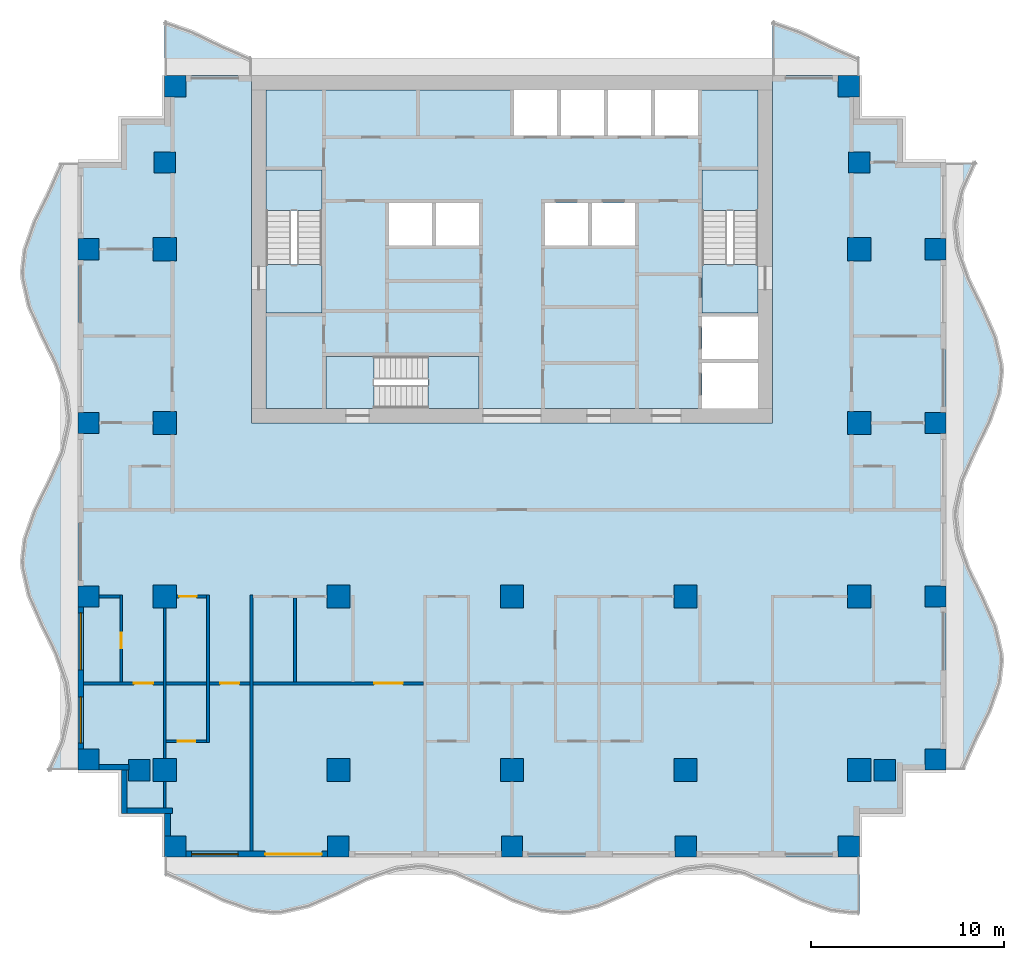
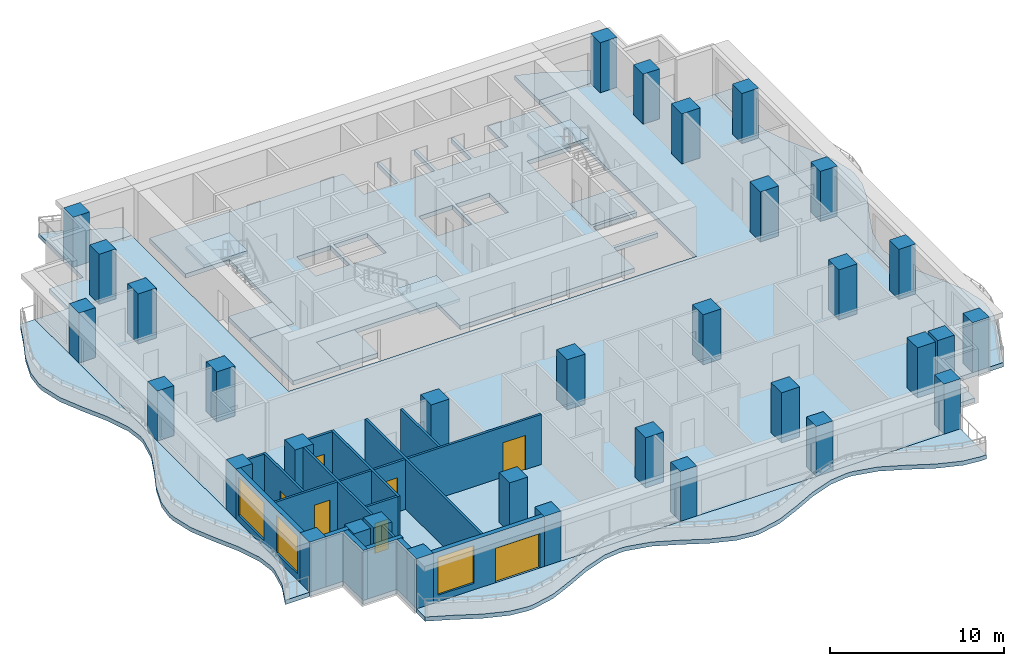
# One storey, part 1 of 10: 33 columns, 19 walls, 13 slabs, 7 doors, 3 windows, 10 openings, 3 elements without a shape of their own.
"""IFC4 building model written with IfcOpenShell, lengths in metres."""

import ifcopenshell
import ifcopenshell.guid

model = None  # the IFC model being written
_history = None  # IfcOwnerHistory: only IFC2X3 demands one
_inside = {}  # id of a spatial element -> (the spatial element, [elements in it])
_under = {}  # id of a project, library or spatial element -> (it, [spatial elements below it])
_declared = {}  # id of a project -> (the project, [libraries it declares])
_typed = {}  # id of a type object -> (the type object, [elements of that type])
_made_of = {}  # id of a material, layer set ... -> (it, [elements and type objects made of it])


def new_model(schema):
    """Start an empty IFC model of exactly this schema.

    Asked for "IFC4X3", IfcOpenShell would pick the latest addendum, in which some entities
    have other attributes; the version numbers below select the first issue.
    IFC2X3 requires an IfcOwnerHistory on every rooted entity: one is made here for all.
    """
    global model, _history
    if schema == "IFC4X3":
        model = ifcopenshell.file(schema_version=(4, 3, 0, 0))
    else:
        model = ifcopenshell.file(schema=schema)
    _inside.clear()
    _under.clear()
    _declared.clear()
    _typed.clear()
    _made_of.clear()
    _history = None
    if model.schema == "IFC2X3":
        org = make("IfcOrganization", Name="unknown")
        user = make(
            "IfcPersonAndOrganization",
            ThePerson=make("IfcPerson", FamilyName="unknown"),
            TheOrganization=org,
        )
        app = make(
            "IfcApplication",
            ApplicationDeveloper=org,
            Version="unknown",
            ApplicationFullName="unknown",
            ApplicationIdentifier="unknown",
        )
        _history = make(
            "IfcOwnerHistory",
            OwningUser=user,
            OwningApplication=app,
            ChangeAction="ADDED",
            CreationDate=0,
        )
    return model


def make(cls, **values):
    """One entity of the class cls with the attributes given. An attribute that is None is left unset."""
    return model.create_entity(
        cls, **{name: value for name, value in values.items() if value is not None}
    )


def rooted(cls, **values):
    """An entity with a GlobalId (a new one), such as an element, a storey or a relation."""
    return make(cls, GlobalId=ifcopenshell.guid.new(), OwnerHistory=_history, **values)


def si_unit(unit_type, name, prefix=None):
    """IfcSIUnit, for example si_unit("LENGTHUNIT", "METRE", prefix="MILLI")."""
    return make("IfcSIUnit", UnitType=unit_type, Prefix=prefix, Name=name)


def assignment(units):
    """IfcUnitAssignment: the units of a project."""
    return None if units is None else make("IfcUnitAssignment", Units=units)


def point(xyz):
    """IfcCartesianPoint."""
    return None if xyz is None else make("IfcCartesianPoint", Coordinates=xyz)


def direction(xyz):
    """IfcDirection."""
    return None if xyz is None else make("IfcDirection", DirectionRatios=xyz)


def frame(location, z_axis=None, x_axis=None):
    """IfcAxis2Placement3D, a coordinate frame: its origin and axes. An axis left out is left unset."""
    return make(
        "IfcAxis2Placement3D",
        Location=point(location),
        Axis=direction(z_axis),
        RefDirection=direction(x_axis),
    )


def frame_2d(location, x_axis=None):
    """IfcAxis2Placement2D, a coordinate frame in the plane: its origin and x axis."""
    return make(
        "IfcAxis2Placement2D", Location=point(location), RefDirection=direction(x_axis)
    )


def origin():
    """The frame at (0, 0, 0) with its axes left unset."""
    return frame((0.0, 0.0, 0.0))


def origin_2d():
    """The frame at (0, 0) in the plane with its x axis left unset."""
    return frame_2d((0.0, 0.0))


def place(relative_to, where):
    """IfcLocalPlacement: puts the frame where relative to a parent placement (None: the world)."""
    return make(
        "IfcLocalPlacement", PlacementRelTo=relative_to, RelativePlacement=where
    )


def context(
    kind, dimensions, precision=None, world=None, true_north=None, identifier=None
):
    """IfcGeometricRepresentationContext, for example the 3D "Model" context."""
    return make(
        "IfcGeometricRepresentationContext",
        ContextIdentifier=identifier,
        ContextType=kind,
        CoordinateSpaceDimension=dimensions,
        Precision=precision,
        WorldCoordinateSystem=world,
        TrueNorth=true_north,
    )


def subcontext(parent, identifier, kind, view, scale=None):
    """IfcGeometricRepresentationSubContext, for example "Body" below "Model"."""
    return make(
        "IfcGeometricRepresentationSubContext",
        ContextIdentifier=identifier,
        ContextType=kind,
        ParentContext=parent,
        TargetScale=scale,
        TargetView=view,
    )


def project(units=None, contexts=None):
    """IfcProject with its units and contexts."""
    return rooted(
        "IfcProject",
        Name="project",
        RepresentationContexts=contexts,
        UnitsInContext=assignment(units),
    )


def spatial(cls, under=None, at=None, **own):
    """A site, building, storey or space (cls), placed at a placement, below another one or the project."""
    s = rooted(cls, ObjectPlacement=at, **own)
    if under is not None:
        _under.setdefault(under.id(), (under, []))[1].append(s)
    return s


def polyline(points):
    """IfcPolyline through the points."""
    return make("IfcPolyline", Points=[point(p) for p in points])


def profile(cls, at=None, kind="AREA", **sizes):
    """A parametric profile (cls). Its sizes go by their IFC names, for example OverallWidth=200.0."""
    return make(cls, ProfileType=kind, Position=at, **sizes)


def rectangle(**sizes):
    """IfcRectangleProfileDef."""
    return profile("IfcRectangleProfileDef", **sizes)


def outline(outer, holes=None, kind="AREA"):
    """IfcArbitraryClosedProfileDef: a profile drawn as a closed curve; with holes, ...WithVoids."""
    if holes is None:
        return make("IfcArbitraryClosedProfileDef", ProfileType=kind, OuterCurve=outer)
    return make(
        "IfcArbitraryProfileDefWithVoids",
        ProfileType=kind,
        OuterCurve=outer,
        InnerCurves=holes,
    )


def extrude(swept, where, along, depth):
    """IfcExtrudedAreaSolid: the profile swept, set in the frame where, extruded along a direction by depth."""
    return make(
        "IfcExtrudedAreaSolid",
        SweptArea=swept,
        Position=where,
        ExtrudedDirection=direction(along),
        Depth=depth,
    )


def shape(context_of_items, identifier, shape_type, items):
    """IfcShapeRepresentation: the items that make up one representation, for example the "Body"."""
    return make(
        "IfcShapeRepresentation",
        ContextOfItems=context_of_items,
        RepresentationIdentifier=identifier,
        RepresentationType=shape_type,
        Items=items,
    )


def material(Name=None, Category=None):
    """IfcMaterial."""
    return make("IfcMaterial", Name=Name, Category=Category)


def layer(
    of_material, thickness, ventilated=None, Name=None, Category=None, Priority=None
):
    """IfcMaterialLayer: one layer of a wall or slab, of a material (None: an air gap)."""
    return make(
        "IfcMaterialLayer",
        Material=of_material,
        LayerThickness=thickness,
        IsVentilated=ventilated,
        Name=Name,
        Category=Category,
        Priority=Priority,
    )


def layer_set(layers, Name=None):
    """IfcMaterialLayerSet."""
    return make("IfcMaterialLayerSet", MaterialLayers=layers, LayerSetName=Name)


def material_profile(
    of_material, cross_section, Name=None, Category=None, Priority=None
):
    """IfcMaterialProfile: a cross section and its material."""
    return make(
        "IfcMaterialProfile",
        Name=Name,
        Material=of_material,
        Profile=cross_section,
        Priority=Priority,
        Category=Category,
    )


def profile_set(profiles, Name=None, composite=None):
    """IfcMaterialProfileSet."""
    return make(
        "IfcMaterialProfileSet",
        Name=Name,
        MaterialProfiles=profiles,
        CompositeProfile=composite,
    )


def made_of(thing, what):
    """Note that an element or type object is made of a material, layer set ...; save() writes the relation."""
    if what is not None:
        _made_of.setdefault(what.id(), (what, []))[1].append(thing)
    return thing


def type_object(cls, material=None, **own):
    """A type object (cls), such as IfcWallType, which elements share."""
    return made_of(rooted(cls, **own), material)


def element(
    cls,
    number,
    at=None,
    inside=None,
    cuts=None,
    type_object=None,
    material=None,
    context=None,
    identifier="Body",
    shape_type=None,
    held_by="IfcProductDefinitionShape",
    body=None,
    shapes=None,
    **own,
):
    """One element of the class cls, such as IfcWall. Its Tag is "e" and its number.

    at: its placement. inside: the storey or other place that contains it. cuts: it is an
    opening in that element (IfcRelVoidsElement). A single representation is given by context,
    identifier, shape_type and body (its items); several are given by shapes. held_by: the class
    of the entity that holds the representations. save() writes the other relations.
    """
    e = rooted(cls, Tag="e%d" % number, ObjectPlacement=at, **own)
    if body is not None:
        shapes = [shape(context, identifier, shape_type, body)]
    if shapes is not None:
        e.Representation = make(held_by, Representations=shapes)
    if inside is not None:
        _inside.setdefault(inside.id(), (inside, []))[1].append(e)
    if cuts is not None:
        rooted(
            "IfcRelVoidsElement", RelatingBuildingElement=cuts, RelatedOpeningElement=e
        )
    if type_object is not None:
        _typed.setdefault(type_object.id(), (type_object, []))[1].append(e)
    return made_of(e, material)


def fill(opening, filler):
    """IfcRelFillsElement: the door or window that sits in an opening."""
    return rooted(
        "IfcRelFillsElement",
        RelatingOpeningElement=opening,
        RelatedBuildingElement=filler,
    )


def aggregate(whole, parts):
    """IfcRelAggregates: a whole, such as a stair, and the parts it consists of."""
    return rooted("IfcRelAggregates", RelatingObject=whole, RelatedObjects=parts)


def save(model, path):
    """Write the relations noted so far, then the file.

    IfcRelAggregates (storeys below a building ...), IfcRelContainedInSpatialStructure (elements
    in a storey), IfcRelDefinesByType, IfcRelAssociatesMaterial and IfcRelDeclares: one each for
    every whole, place, type object, material and project.
    """
    for whole, parts in _under.values():
        aggregate(whole, parts)
    for where, things in _inside.values():
        rooted(
            "IfcRelContainedInSpatialStructure",
            RelatedElements=things,
            RelatingStructure=where,
        )
    for kind, things in _typed.values():
        rooted("IfcRelDefinesByType", RelatedObjects=things, RelatingType=kind)
    for what, things in _made_of.values():
        rooted("IfcRelAssociatesMaterial", RelatedObjects=things, RelatingMaterial=what)
    for by, libraries in _declared.values():
        rooted("IfcRelDeclares", RelatingContext=by, RelatedDefinitions=libraries)
    model.write(path)


model = new_model("IFC4")

# Units and contexts
model_context = context("Model", 3, precision=1e-05, world=origin(), true_north=direction((0.0, 1.0)))
body_context = subcontext(model_context, "Body", "Model", "MODEL_VIEW")
ifc_project = project(units=[si_unit("LENGTHUNIT", "METRE"), si_unit("AREAUNIT", "SQUARE_METRE"), si_unit("VOLUMEUNIT", "CUBIC_METRE"), si_unit("PLANEANGLEUNIT", "RADIAN"), si_unit("MASSUNIT", "GRAM", prefix="KILO")], contexts=[model_context])

# Site, building, storey
site_placement = place(None, origin())
site = spatial("IfcSite", under=ifc_project, at=site_placement, CompositionType="ELEMENT")
building_placement = place(site_placement, origin())
building = spatial("IfcBuilding", under=site, at=building_placement, Name="Orbiselva Terraces", CompositionType="ELEMENT")
storey_placement = place(building_placement, frame((0.0, 0.0, 170.6)))
storey = spatial("IfcBuildingStorey", under=building, at=storey_placement, Name="L43", CompositionType="ELEMENT", Elevation=170.6)

# Columns
ifc_material_1 = material(Name="Concrete C60/75", Category="concrete")
ifc_material_profile_1 = material_profile(ifc_material_1, rectangle(XDim=1.2, YDim=1.2, at=origin_2d()), Name="RC 1200x1200")
ifc_profile_set_1 = profile_set([ifc_material_profile_1], Name="Concrete C60/75")
column_type_1 = type_object("IfcColumnType", Name="COLUMN RC 1200x1200", PredefinedType="COLUMN", material=ifc_profile_set_1)
for number, where, z_axis, x_axis, name in (
    (1, (-18.0, -13.5, 0.0), (0.0, 0.0, 1.0), (1.0, 0.0, 0.0), "Column L43-01"),
    (2, (-18.0, -4.5, 0.0), (0.0, 0.0, 1.0), (1.0, 0.0, 0.0), "Column L43-03"),
    (3, (-18.0, 13.5, 0.0), (0.0, 0.0, 1.0), (1.0, 0.0, 0.0), "Column L43-04"),
    (4, (-18.0, 4.5, 0.0), (0.0, 0.0, 1.0), (1.0, 0.0, 0.0), "Column L43-06"),
    (5, (-9.0, -13.5, 0.0), (0.0, 0.0, 1.0), (1.0, 0.0, 0.0), "Column L43-13"),
    (6, (-9.0, -4.5, 0.0), (0.0, 0.0, 1.0), (1.0, 0.0, 0.0), "Column L43-15"),
    (7, (0.0, -13.5, 0.0), (0.0, 0.0, 1.0), (1.0, 0.0, 0.0), "Column L43-16"),
    (8, (0.0, -4.5, 0.0), (0.0, 0.0, 1.0), (1.0, 0.0, 0.0), "Column L43-18"),
    (9, (18.0, -13.5, 0.0), (0.0, 0.0, 1.0), (1.0, 0.0, 0.0), "Column L43-19"),
    (10, (18.0, -4.5, 0.0), (0.0, 0.0, 1.0), (1.0, 0.0, 0.0), "Column L43-21"),
    (11, (18.0, 13.5, 0.0), (0.0, 0.0, 1.0), (1.0, 0.0, 0.0), "Column L43-22"),
    (12, (18.0, 4.5, 0.0), (0.0, 0.0, 1.0), (1.0, 0.0, 0.0), "Column L43-24"),
    (13, (9.0, -13.5, 0.0), (0.0, 0.0, 1.0), (1.0, 0.0, 0.0), "Column L43-31"),
    (14, (9.0, -4.5, 0.0), (0.0, 0.0, 1.0), (1.0, 0.0, 0.0), "Column L43-33"),
):
    element("IfcColumn", number, at=place(storey_placement, frame(where, z_axis=z_axis, x_axis=x_axis)), inside=storey, type_object=column_type_1, Name=name, PredefinedType="COLUMN", context=body_context, shape_type="SweptSolid", body=[
        extrude(rectangle(XDim=1.2, YDim=1.2, at=origin_2d()), origin(), (0.0, 0.0, 1.0), 3.5),
    ])
ifc_material_profile_2 = material_profile(ifc_material_1, rectangle(XDim=1.1, YDim=1.1, at=origin_2d()), Name="RC 1100x1100")
ifc_profile_set_2 = profile_set([ifc_material_profile_2], Name="Concrete C60/75")
column_type_2 = type_object("IfcColumnType", Name="PERIMETER COLUMN RC 1100x1100", PredefinedType="COLUMN", material=ifc_profile_set_2)
for number, where, z_axis, x_axis, name in (
    (15, (-17.45, -17.45, 0.0), (0.0, 0.0, 1.0), (1.0, 0.0, 0.0), "Column L43-02"),
    (16, (-17.45, 21.95, 0.0), (0.0, 0.0, 1.0), (1.0, 0.0, 0.0), "Column L43-05"),
    (17, (-21.95, -12.95, 0.0), (0.0, 0.0, 1.0), (1.0, 0.0, 0.0), "Column L43-07"),
    (18, (-19.32, -13.5, 0.0), (0.0, 0.0, 1.0), (1.0, 0.0, 0.0), "Column L43-08"),
    (19, (-21.95, -4.5, 0.0), (0.0, 0.0, 1.0), (1.0, 0.0, 0.0), "Column L43-09"),
    (20, (-21.95, 13.5, 0.0), (0.0, 0.0, 1.0), (1.0, 0.0, 0.0), "Column L43-10"),
    (21, (-18.0, 18.0, 0.0), (0.0, 0.0, 1.0), (1.0, 0.0, 0.0), "Column L43-11"),
    (22, (-21.95, 4.5, 0.0), (0.0, 0.0, 1.0), (1.0, 0.0, 0.0), "Column L43-12"),
    (23, (-9.0, -17.45, 0.0), (0.0, 0.0, 1.0), (1.0, 0.0, 0.0), "Column L43-14"),
    (24, (0.0, -17.45, 0.0), (0.0, 0.0, 1.0), (1.0, 0.0, 0.0), "Column L43-17"),
    (25, (17.45, -17.45, 0.0), (0.0, 0.0, 1.0), (1.0, 0.0, 0.0), "Column L43-20"),
    (26, (17.45, 21.95, 0.0), (0.0, 0.0, 1.0), (1.0, 0.0, 0.0), "Column L43-23"),
    (27, (21.95, -12.95, 0.0), (0.0, 0.0, 1.0), (1.0, 0.0, 0.0), "Column L43-25"),
    (28, (19.32, -13.5, 0.0), (0.0, 0.0, 1.0), (1.0, 0.0, 0.0), "Column L43-26"),
    (29, (21.95, -4.5, 0.0), (0.0, 0.0, 1.0), (1.0, 0.0, 0.0), "Column L43-27"),
    (30, (21.95, 13.5, 0.0), (0.0, 0.0, 1.0), (1.0, 0.0, 0.0), "Column L43-28"),
    (31, (18.0, 18.0, 0.0), (0.0, 0.0, 1.0), (1.0, 0.0, 0.0), "Column L43-29"),
    (32, (21.95, 4.5, 0.0), (0.0, 0.0, 1.0), (1.0, 0.0, 0.0), "Column L43-30"),
    (33, (9.0, -17.45, 0.0), (0.0, 0.0, 1.0), (1.0, 0.0, 0.0), "Column L43-32"),
):
    element("IfcColumn", number, at=place(storey_placement, frame(where, z_axis=z_axis, x_axis=x_axis)), inside=storey, type_object=column_type_2, Name=name, PredefinedType="COLUMN", context=body_context, shape_type="SweptSolid", body=[
        extrude(rectangle(XDim=1.1, YDim=1.1, at=origin_2d()), origin(), (0.0, 0.0, 1.0), 3.5),
    ])

# Slabs
ifc_material_2 = material(Name="Concrete C40/50", Category="concrete")
ifc_layer_1 = layer(ifc_material_2, 0.3)
ifc_layer_set_1 = layer_set([ifc_layer_1], Name="Concrete C40/50")
slab_type_1 = type_object("IfcSlabType", Name="CORE-SLAB-FLOOR-300", PredefinedType="FLOOR", material=ifc_layer_set_1)
slab_1_placement = place(storey_placement, frame((0.0, 0.0, -0.3)))
element("IfcSlab", 34, at=slab_1_placement, inside=storey, type_object=slab_type_1, Name="L43 S1 floor landing", PredefinedType="FLOOR", context=body_context, shape_type="SweptSolid", body=[
    extrude(outline(polyline([(-12.75, 12.7), (-9.85, 12.7), (-9.85, 10.2), (-12.75, 10.2), (-12.75, 12.7)])), origin(), (0.0, 0.0, 1.0), 0.3),
])
slab_2_placement = place(storey_placement, frame((0.0, 0.0, -0.3)))
element("IfcSlab", 35, at=slab_2_placement, inside=storey, type_object=slab_type_1, Name="L43 S2 floor landing", PredefinedType="FLOOR", context=body_context, shape_type="SweptSolid", body=[
    extrude(outline(polyline([(12.75, 12.7), (12.75, 10.2), (9.85, 10.2), (9.85, 12.7), (12.75, 12.7)])), origin(), (0.0, 0.0, 1.0), 0.3),
])
slab_3_placement = place(storey_placement, frame((0.0, 0.0, -0.3)))
element("IfcSlab", 36, at=slab_3_placement, inside=storey, type_object=slab_type_1, Name="L43 S3 floor landing", PredefinedType="FLOOR", context=body_context, shape_type="SweptSolid", body=[
    extrude(outline(polyline([(-7.15, 5.25), (-9.65, 5.25), (-9.65, 7.95), (-7.15, 7.95), (-7.15, 5.25)])), origin(), (0.0, 0.0, 1.0), 0.3),
])
slab_4_placement = place(storey_placement, frame((0.0, 0.0, -0.3)))
element("IfcSlab", 37, at=slab_4_placement, inside=storey, type_object=slab_type_1, Name="L43 core floor slab 1", PredefinedType="FLOOR", context=body_context, shape_type="SweptSolid", body=[
    extrude(outline(polyline([(-1.7, 5.25), (-1.7, 7.95), (-9.65, 7.95), (-9.65, 5.25), (-12.75, 5.25), (-12.75, 10.2), (-9.85, 10.2), (-9.85, 17.6), (-12.75, 17.6), (-12.75, 21.75), (0.1, 21.75), (0.1, 19.4), (2.3375, 19.4), (2.3375, 21.75), (2.5375, 21.75), (2.5375, 19.4), (4.775, 19.4), (4.775, 21.75), (4.975, 21.75), (4.975, 19.4), (7.2125, 19.4), (7.2125, 21.75), (7.4125, 21.75), (7.4125, 19.4), (9.65, 19.4), (9.65, 21.75), (12.75, 21.75), (12.75, 17.6), (9.85, 17.6), (9.85, 10.2), (12.75, 10.2), (12.75, 10.0), (9.85, 10.0), (9.85, 7.8), (12.75, 7.8), (12.75, 7.6), (9.85, 7.6), (9.85, 5.25), (-1.7, 5.25)]), holes=[polyline([(-4.1375, 13.7), (-4.1375, 15.9), (-6.375, 15.9), (-6.375, 13.7), (-4.1375, 13.7)]), polyline([(-1.7, 13.7), (-1.7, 15.9), (-3.9375, 15.9), (-3.9375, 13.7), (-1.7, 13.7)]), polyline([(3.9375, 15.9), (1.7, 15.9), (1.7, 13.7), (3.9375, 13.7), (3.9375, 15.9)]), polyline([(6.375, 13.7), (6.375, 15.9), (4.1375, 15.9), (4.1375, 13.7), (6.375, 13.7)])]), origin(), (0.0, 0.0, 1.0), 0.3),
])

# Stair, slab
stair_type_1 = type_object("IfcStairType", Name="CORE-STAIR-1300", PredefinedType="HALF_TURN_STAIR", material=ifc_material_2)
stair_1_placement = place(storey_placement, origin())
stair_1 = element("IfcStair", 38, at=stair_1_placement, inside=storey, type_object=stair_type_1, Name="L43 Exit Stair S1", PredefinedType="HALF_TURN_STAIR")
ifc_layer_2 = layer(ifc_material_2, 0.2)
ifc_layer_set_2 = layer_set([ifc_layer_2], Name="Concrete C40/50")
slab_type_2 = type_object("IfcSlabType", Name="CORE-STAIR-LANDING-200", PredefinedType="LANDING", material=ifc_layer_set_2)
slab_5_placement = place(storey_placement, frame((0.0, 0.0, 1.7)))
slab_5 = element("IfcSlab", 39, at=slab_5_placement, type_object=slab_type_2, Name="S1 landing 1", PredefinedType="LANDING", context=body_context, shape_type="SweptSolid", body=[
    extrude(outline(polyline([(-9.85, 15.5), (-9.85, 17.6), (-12.75, 17.6), (-12.75, 15.5), (-9.85, 15.5)])), origin(), (0.0, 0.0, 1.0), 0.2),
])
aggregate(stair_1, [slab_5])

stair_2_placement = place(storey_placement, origin())
stair_2 = element("IfcStair", 40, at=stair_2_placement, inside=storey, type_object=stair_type_1, Name="L43 Exit Stair S2", PredefinedType="HALF_TURN_STAIR")
slab_6_placement = place(storey_placement, frame((0.0, 0.0, 1.7)))
slab_6 = element("IfcSlab", 41, at=slab_6_placement, type_object=slab_type_2, Name="S2 landing 1", PredefinedType="LANDING", context=body_context, shape_type="SweptSolid", body=[
    extrude(outline(polyline([(12.75, 15.5), (12.75, 17.6), (9.85, 17.6), (9.85, 15.5), (12.75, 15.5)])), origin(), (0.0, 0.0, 1.0), 0.2),
])
aggregate(stair_2, [slab_6])

stair_type_2 = type_object("IfcStairType", Name="CORE-STAIR-1200", PredefinedType="HALF_TURN_STAIR", material=ifc_material_2)
stair_3_placement = place(storey_placement, origin())
stair_3 = element("IfcStair", 42, at=stair_3_placement, inside=storey, type_object=stair_type_2, Name="L43 Exit Stair S3", PredefinedType="HALF_TURN_STAIR")
slab_7_placement = place(storey_placement, frame((0.0, 0.0, 1.7)))
slab_7 = element("IfcSlab", 43, at=slab_7_placement, type_object=slab_type_2, Name="S3 landing 1", PredefinedType="LANDING", context=body_context, shape_type="SweptSolid", body=[
    extrude(outline(polyline([(-4.35, 5.25), (-1.7, 5.25), (-1.7, 7.95), (-4.35, 7.95), (-4.35, 5.25)])), origin(), (0.0, 0.0, 1.0), 0.2),
])
aggregate(stair_3, [slab_7])

# Slabs
ifc_material_3 = material(Name="Concrete C50/60", Category="concrete")
ifc_layer_3 = layer(ifc_material_3, 0.3)
ifc_layer_set_3 = layer_set([ifc_layer_3], Name="Concrete C50/60")
slab_type_3 = type_object("IfcSlabType", Name="ENV-BALCONY-SLAB-300", PredefinedType="FLOOR", material=ifc_layer_set_3)
slab_8_placement = place(storey_placement, frame((0.0, 0.0, -0.3)))
element("IfcSlab", 44, at=slab_8_placement, inside=storey, type_object=slab_type_3, Name="Balcony slab L43 S", PredefinedType="FLOOR", context=body_context, shape_type="SweptSolid", body=[
    extrude(outline(polyline([(-18.0, -18.951472), (-16.5, -19.612279), (-15.0, -20.344789), (-13.5, -20.869208), (-12.375, -21.0), (-12.0, -20.985226), (-10.5, -20.648528), (-9.0, -19.987721), (-7.5, -19.255211), (-6.0, -18.730792), (-4.875, -18.6), (-4.5, -18.614774), (-3.0, -18.951472), (-1.5, -19.612279), (0.0, -20.344789), (1.5, -20.869208), (2.625, -21.0), (3.0, -20.985226), (4.5, -20.648528), (6.0, -19.987721), (7.5, -19.255211), (9.0, -18.730792), (10.125, -18.6), (10.5, -18.614774), (12.0, -18.951472), (13.5, -19.612279), (15.0, -20.344789), (16.5, -20.869208), (17.625, -21.0), (18.0, -20.985226), (18.0, -18.0), (-18.0, -18.0), (-18.0, -18.951472)])), origin(), (0.0, 0.0, 1.0), 0.3),
])
slab_9_placement = place(storey_placement, frame((0.0, 0.0, -0.3)))
element("IfcSlab", 45, at=slab_9_placement, inside=storey, type_object=slab_type_3, Name="Balcony slab L43 E", PredefinedType="FLOOR", context=body_context, shape_type="SweptSolid", body=[
    extrude(outline(polyline([(23.451472, -13.5), (24.112279, -12.0), (24.844789, -10.5), (25.369208, -9.0), (25.5, -7.875), (25.485226, -7.5), (25.148528, -6.0), (24.487721, -4.5), (23.755211, -3.0), (23.230792, -1.5), (23.1, -0.375), (23.114774, 0.0), (23.451472, 1.5), (24.112279, 3.0), (24.844789, 4.5), (25.369208, 6.0), (25.5, 7.125), (25.485226, 7.5), (25.148528, 9.0), (24.487721, 10.5), (23.755211, 12.0), (23.230792, 13.5), (23.1, 14.625), (23.114774, 15.0), (23.451472, 16.5), (24.112279, 18.0), (22.5, 18.0), (22.5, -13.5), (23.451472, -13.5)])), origin(), (0.0, 0.0, 1.0), 0.3),
])
slab_10_placement = place(storey_placement, frame((0.0, 0.0, -0.3)))
element("IfcSlab", 46, at=slab_10_placement, inside=storey, type_object=slab_type_3, Name="Balcony slab L43 NE", PredefinedType="FLOOR", context=body_context, shape_type="SweptSolid", body=[
    extrude(outline(polyline([(18.0, 23.451472), (16.5, 24.112279), (15.0, 24.844789), (13.5, 25.369208), (13.5, 22.5), (18.0, 22.5), (18.0, 23.451472)])), origin(), (0.0, 0.0, 1.0), 0.3),
])
slab_11_placement = place(storey_placement, frame((0.0, 0.0, -0.3)))
element("IfcSlab", 47, at=slab_11_placement, inside=storey, type_object=slab_type_3, Name="Balcony slab L43 NW", PredefinedType="FLOOR", context=body_context, shape_type="SweptSolid", body=[
    extrude(outline(polyline([(-13.5, 23.451472), (-15.0, 24.112279), (-16.5, 24.844789), (-18.0, 25.369208), (-18.0, 22.5), (-13.5, 22.5), (-13.5, 23.451472)])), origin(), (0.0, 0.0, 1.0), 0.3),
])
slab_12_placement = place(storey_placement, frame((0.0, 0.0, -0.3)))
element("IfcSlab", 48, at=slab_12_placement, inside=storey, type_object=slab_type_3, Name="Balcony slab L43 W", PredefinedType="FLOOR", context=body_context, shape_type="SweptSolid", body=[
    extrude(outline(polyline([(-23.451472, 18.0), (-24.112279, 16.5), (-24.844789, 15.0), (-25.369208, 13.5), (-25.5, 12.375), (-25.485226, 12.0), (-25.148528, 10.5), (-24.487721, 9.0), (-23.755211, 7.5), (-23.230792, 6.0), (-23.1, 4.875), (-23.114774, 4.5), (-23.451472, 3.0), (-24.112279, 1.5), (-24.844789, 0.0), (-25.369208, -1.5), (-25.5, -2.625), (-25.485226, -3.0), (-25.148528, -4.5), (-24.487721, -6.0), (-23.755211, -7.5), (-23.230792, -9.0), (-23.1, -10.125), (-23.114774, -10.5), (-23.451472, -12.0), (-24.112279, -13.5), (-22.5, -13.5), (-22.5, 18.0), (-23.451472, 18.0)])), origin(), (0.0, 0.0, 1.0), 0.3),
])
ifc_layer_4 = layer(ifc_material_3, 0.3)
ifc_layer_set_4 = layer_set([ifc_layer_4], Name="Concrete C50/60")
slab_type_4 = type_object("IfcSlabType", Name="FLOOR SLAB 300", PredefinedType="FLOOR", material=ifc_layer_set_4)
slab_13_placement = place(storey_placement, frame((0.0, 0.0, -0.3)))
element("IfcSlab", 49, at=slab_13_placement, inside=storey, type_object=slab_type_4, Name="Floor slab L43", PredefinedType="FLOOR", context=body_context, shape_type="SweptSolid", body=[
    extrude(outline(polyline([(18.0, 22.5), (18.0, 20.25), (20.25, 20.25), (20.25, 18.0), (22.5, 18.0), (22.5, -13.5), (20.25, -13.5), (20.25, -15.75), (18.0, -15.75), (18.0, -18.0), (-18.0, -18.0), (-18.0, -15.75), (-20.25, -15.75), (-20.25, -13.5), (-22.5, -13.5), (-22.5, 18.0), (-20.25, 18.0), (-20.25, 20.25), (-18.0, 20.25), (-18.0, 22.5), (-13.5, 22.5), (-13.5, 4.5), (13.5, 4.5), (13.5, 22.5), (18.0, 22.5)])), origin(), (0.0, 0.0, 1.0), 0.3),
])

# Wall, openings, door, window
ifc_material_4 = material(Name="Terracotta cladding on masonry backing", Category="masonry")
ifc_layer_5 = layer(ifc_material_4, 0.3)
ifc_layer_set_5 = layer_set([ifc_layer_5], Name="Terracotta cladding on masonry backing")
wall_type_1 = type_object("IfcWallType", Name="ENV-WALL-TERRACOTTA-300", PredefinedType="SOLIDWALL", material=ifc_layer_set_5)
wall_1_placement = place(storey_placement, frame((-9.55, -17.85, 0.0), z_axis=(0.0, 0.0, 1.0), x_axis=(-1.0, 0.0, 0.0)))
wall_1 = element("IfcWall", 50, at=wall_1_placement, inside=storey, type_object=wall_type_1, Name="Facade wall L43 S", PredefinedType="SOLIDWALL", context=body_context, shape_type="SweptSolid", body=[
    extrude(rectangle(XDim=7.35, YDim=0.3, at=frame_2d((3.675, 0.0))), origin(), (0.0, 0.0, 1.0), 3.5),
])
opening_1_placement = place(wall_1_placement, frame((4.65, 0.0, 0.45)))
opening_1 = element("IfcOpeningElement", 51, at=opening_1_placement, cuts=wall_1, Name="Opening WN11", PredefinedType="OPENING", context=body_context, shape_type="SweptSolid", body=[
    extrude(rectangle(XDim=2.4, YDim=2.65, at=frame_2d((1.2, 1.325))), frame((0.0, 0.16, 0.0), z_axis=(0.0, -1.0, 0.0), x_axis=(1.0, 0.0, 0.0)), (0.0, 0.0, 1.0), 0.32),
])
opening_2_placement = place(wall_1_placement, frame((0.3, 0.0, 0.0)))
opening_2 = element("IfcOpeningElement", 52, at=opening_2_placement, cuts=wall_1, Name="Opening Z3-E-E01", PredefinedType="OPENING", context=body_context, shape_type="SweptSolid", body=[
    extrude(rectangle(XDim=2.95, YDim=2.4, at=frame_2d((1.475, 1.2))), frame((0.0, 0.16, 0.0), z_axis=(0.0, -1.0, 0.0), x_axis=(1.0, 0.0, 0.0)), (0.0, 0.0, 1.0), 0.32),
])
ifc_material_5 = material(Name="Clear low-e glazing in aluminium frame", Category="aluminium")
door_type_1 = type_object("IfcDoorType", Name="BALCONY DOOR 2950 X 2400", OperationType="DOUBLE_DOOR_SLIDING", PredefinedType="DOOR", material=ifc_material_5)
door_1_placement = place(opening_2_placement, origin())
door_1 = element("IfcDoor", 53, at=door_1_placement, inside=storey, type_object=door_type_1, Name="Z3-E-E01", OperationType="SINGLE_SWING_LEFT", OverallHeight=2.4, OverallWidth=2.95, PredefinedType="DOOR", context=body_context, shape_type="SweptSolid", body=[
    extrude(rectangle(XDim=2.95, YDim=2.4, at=frame_2d((1.475, 1.2))), frame((0.0, 0.025, 0.0), z_axis=(0.0, -1.0, 0.0), x_axis=(1.0, 0.0, 0.0)), (0.0, 0.0, 1.0), 0.05),
])
fill(opening_2, door_1)
window_type_1 = type_object("IfcWindowType", Name="WINDOW 2400 X 2650 S450", PartitioningType="TRIPLE_PANEL_VERTICAL", PredefinedType="WINDOW", material=ifc_material_5)
window_1_placement = place(opening_1_placement, origin())
window_1 = element("IfcWindow", 54, at=window_1_placement, inside=storey, type_object=window_type_1, Name="Window L43 S", OverallHeight=2.65, OverallWidth=2.4, PartitioningType="SINGLE_PANEL", PredefinedType="WINDOW", context=body_context, shape_type="SweptSolid", body=[
    extrude(rectangle(XDim=2.4, YDim=2.65, at=frame_2d((1.2, 1.325))), frame((0.0, 0.03, 0.0), z_axis=(0.0, -1.0, 0.0), x_axis=(1.0, 0.0, 0.0)), (0.0, 0.0, 1.0), 0.06),
])
fill(opening_1, window_1)

# Wall, openings, windows
wall_2_placement = place(storey_placement, frame((-22.35, -12.4, 0.0), z_axis=(0.0, 0.0, 1.0), x_axis=(0.0, 1.0, 0.0)))
wall_2 = element("IfcWall", 55, at=wall_2_placement, inside=storey, type_object=wall_type_1, Name="Facade wall L43 W", PredefinedType="SOLIDWALL", context=body_context, shape_type="SweptSolid", body=[
    extrude(rectangle(XDim=7.35, YDim=0.3, at=frame_2d((3.675, 0.0))), origin(), (0.0, 0.0, 1.0), 3.5),
])
opening_3_placement = place(wall_2_placement, frame((4.1, 0.0, 0.45)))
opening_3 = element("IfcOpeningElement", 56, at=opening_3_placement, cuts=wall_2, Name="Opening WN12", PredefinedType="OPENING", context=body_context, shape_type="SweptSolid", body=[
    extrude(rectangle(XDim=2.95, YDim=2.65, at=frame_2d((1.475, 1.325))), frame((0.0, 0.16, 0.0), z_axis=(0.0, -1.0, 0.0), x_axis=(1.0, 0.0, 0.0)), (0.0, 0.0, 1.0), 0.32),
])
opening_4_placement = place(wall_2_placement, frame((0.3, 0.0, 0.45)))
opening_4 = element("IfcOpeningElement", 57, at=opening_4_placement, cuts=wall_2, Name="Opening WN11", PredefinedType="OPENING", context=body_context, shape_type="SweptSolid", body=[
    extrude(rectangle(XDim=2.4, YDim=2.65, at=frame_2d((1.2, 1.325))), frame((0.0, 0.16, 0.0), z_axis=(0.0, -1.0, 0.0), x_axis=(1.0, 0.0, 0.0)), (0.0, 0.0, 1.0), 0.32),
])
window_2_placement = place(opening_4_placement, origin())
window_2 = element("IfcWindow", 58, at=window_2_placement, inside=storey, type_object=window_type_1, Name="Window L43 W", OverallHeight=2.65, OverallWidth=2.4, PartitioningType="SINGLE_PANEL", PredefinedType="WINDOW", context=body_context, shape_type="SweptSolid", body=[
    extrude(rectangle(XDim=2.4, YDim=2.65, at=frame_2d((1.2, 1.325))), frame((0.0, 0.03, 0.0), z_axis=(0.0, -1.0, 0.0), x_axis=(1.0, 0.0, 0.0)), (0.0, 0.0, 1.0), 0.06),
])
fill(opening_4, window_2)
window_type_2 = type_object("IfcWindowType", Name="WINDOW 2950 X 2650 S450", PartitioningType="TRIPLE_PANEL_VERTICAL", PredefinedType="WINDOW", material=ifc_material_5)
window_3_placement = place(opening_3_placement, origin())
window_3 = element("IfcWindow", 59, at=window_3_placement, inside=storey, type_object=window_type_2, Name="Window L43 W", OverallHeight=2.65, OverallWidth=2.95, PartitioningType="SINGLE_PANEL", PredefinedType="WINDOW", context=body_context, shape_type="SweptSolid", body=[
    extrude(rectangle(XDim=2.95, YDim=2.65, at=frame_2d((1.475, 1.325))), frame((0.0, 0.03, 0.0), z_axis=(0.0, -1.0, 0.0), x_axis=(1.0, 0.0, 0.0)), (0.0, 0.0, 1.0), 0.06),
])
fill(opening_3, window_3)

# Walls
wall_3_placement = place(storey_placement, frame((-19.85, -13.35, 0.0), z_axis=(0.0, 0.0, 1.0), x_axis=(-1.0, 0.0, 0.0)))
element("IfcWall", 60, at=wall_3_placement, inside=storey, type_object=wall_type_1, Name="Facade wall L43 STEP", PredefinedType="SOLIDWALL", context=body_context, shape_type="SweptSolid", body=[
    extrude(rectangle(XDim=1.55, YDim=0.3, at=frame_2d((0.775, 0.0))), origin(), (0.0, 0.0, 1.0), 3.5),
])
wall_4_placement = place(storey_placement, frame((-20.1, -15.75, 0.0), z_axis=(0.0, 0.0, 1.0), x_axis=(0.0, 1.0, 0.0)))
element("IfcWall", 61, at=wall_4_placement, inside=storey, type_object=wall_type_1, Name="Facade wall L43 STEP", PredefinedType="SOLIDWALL", context=body_context, shape_type="SweptSolid", body=[
    extrude(rectangle(XDim=2.25, YDim=0.3, at=frame_2d((1.125, 0.0))), origin(), (0.0, 0.0, 1.0), 3.5),
])
wall_5_placement = place(storey_placement, frame((-17.6, -15.6, 0.0), z_axis=(0.0, 0.0, 1.0), x_axis=(-1.0, 0.0, 0.0)))
element("IfcWall", 62, at=wall_5_placement, inside=storey, type_object=wall_type_1, Name="Facade wall L43 STEP", PredefinedType="SOLIDWALL", context=body_context, shape_type="SweptSolid", body=[
    extrude(rectangle(XDim=2.35, YDim=0.3, at=frame_2d((1.175, 0.0))), origin(), (0.0, 0.0, 1.0), 3.5),
])
wall_6_placement = place(storey_placement, frame((-17.85, -16.9, 0.0), z_axis=(0.0, 0.0, 1.0), x_axis=(0.0, 1.0, 0.0)))
element("IfcWall", 63, at=wall_6_placement, inside=storey, type_object=wall_type_1, Name="Facade wall L43 STEP", PredefinedType="SOLIDWALL", context=body_context, shape_type="SweptSolid", body=[
    extrude(rectangle(XDim=1.15, YDim=0.3, at=frame_2d((0.575, 0.0))), origin(), (0.0, 0.0, 1.0), 3.5),
])

# Wall, opening, door
ifc_material_6 = material(Name="Plasterboard on steel stud partition", Category="steel")
ifc_layer_6 = layer(ifc_material_6, 0.15)
ifc_layer_set_6 = layer_set([ifc_layer_6], Name="Plasterboard on steel stud partition")
wall_type_2 = type_object("IfcWallType", Name="UNIT-PARTITION-150", PredefinedType="PARTITIONING", material=ifc_layer_set_6)
wall_7_placement = place(storey_placement, frame((-17.925, -12.0, 0.0), z_axis=(0.0, 0.0, 1.0), x_axis=(1.0, 0.0, 0.0)))
wall_7 = element("IfcWall", 64, at=wall_7_placement, inside=storey, type_object=wall_type_2, Name="PARTITION L43-001", PredefinedType="PARTITIONING", context=body_context, shape_type="SweptSolid", body=[
    extrude(rectangle(XDim=2.1, YDim=0.15, at=frame_2d((1.05, 0.0))), origin(), (0.0, 0.0, 1.0), 3.5),
])
opening_5_placement = place(wall_7_placement, frame((0.6, 0.0, 0.0)))
opening_5 = element("IfcOpeningElement", 65, at=opening_5_placement, cuts=wall_7, Name="Opening Z3-E-30", PredefinedType="OPENING", context=body_context, shape_type="SweptSolid", body=[
    extrude(rectangle(XDim=0.9, YDim=2.1, at=frame_2d((0.45, 1.05))), frame((0.0, 0.085, 0.0), z_axis=(0.0, -1.0, 0.0), x_axis=(1.0, 0.0, 0.0)), (0.0, 0.0, 1.0), 0.17),
])
ifc_material_7 = material(Name="Painted timber door leaf", Category="wood")
door_type_2 = type_object("IfcDoorType", Name="BATH DOOR 900", OperationType="NOTDEFINED", PredefinedType="DOOR", material=ifc_material_7)
door_2_placement = place(opening_5_placement, origin())
door_2 = element("IfcDoor", 66, at=door_2_placement, inside=storey, type_object=door_type_2, Name="Z3-E-30", OperationType="SINGLE_SWING_LEFT", OverallHeight=2.1, OverallWidth=0.9, PredefinedType="DOOR", context=body_context, shape_type="SweptSolid", body=[
    extrude(rectangle(XDim=0.9, YDim=2.1, at=frame_2d((0.45, 1.05))), frame((0.0, 0.025, 0.0), z_axis=(0.0, -1.0, 0.0), x_axis=(1.0, 0.0, 0.0)), (0.0, 0.0, 1.0), 0.05),
])
fill(opening_5, door_2)

wall_8_placement = place(storey_placement, frame((-18.075, -9.0, 0.0), z_axis=(0.0, 0.0, 1.0), x_axis=(-1.0, 0.0, 0.0)))
wall_8 = element("IfcWall", 67, at=wall_8_placement, inside=storey, type_object=wall_type_2, Name="PARTITION L43-005", PredefinedType="PARTITIONING", context=body_context, shape_type="SweptSolid", body=[
    extrude(rectangle(XDim=4.125, YDim=0.15, at=frame_2d((2.0625, 0.0))), origin(), (0.0, 0.0, 1.0), 3.5),
])
opening_6_placement = place(wall_8_placement, frame((0.525, 0.0, 0.0)))
opening_6 = element("IfcOpeningElement", 68, at=opening_6_placement, cuts=wall_8, Name="Opening Z3-E-31", PredefinedType="OPENING", context=body_context, shape_type="SweptSolid", body=[
    extrude(rectangle(XDim=1.0, YDim=2.4, at=frame_2d((0.5, 1.2))), frame((0.0, 0.085, 0.0), z_axis=(0.0, -1.0, 0.0), x_axis=(1.0, 0.0, 0.0)), (0.0, 0.0, 1.0), 0.17),
])
door_type_3 = type_object("IfcDoorType", Name="ROOM DOOR 1000", OperationType="NOTDEFINED", PredefinedType="DOOR", material=ifc_material_7)
door_3_placement = place(opening_6_placement, origin())
door_3 = element("IfcDoor", 69, at=door_3_placement, inside=storey, type_object=door_type_3, Name="Z3-E-31", OperationType="SINGLE_SWING_LEFT", OverallHeight=2.4, OverallWidth=1.0, PredefinedType="DOOR", context=body_context, shape_type="SweptSolid", body=[
    extrude(rectangle(XDim=1.0, YDim=2.4, at=frame_2d((0.5, 1.2))), frame((0.0, 0.025, 0.0), z_axis=(0.0, -1.0, 0.0), x_axis=(1.0, 0.0, 0.0)), (0.0, 0.0, 1.0), 0.05),
])
fill(opening_6, door_3)

# Wall
wall_9_placement = place(storey_placement, frame((-17.925, -9.0, 0.0), z_axis=(0.0, 0.0, 1.0), x_axis=(1.0, 0.0, 0.0)))
element("IfcWall", 70, at=wall_9_placement, inside=storey, type_object=wall_type_2, Name="PARTITION L43-006", PredefinedType="PARTITIONING", context=body_context, shape_type="SweptSolid", body=[
    extrude(rectangle(XDim=2.1, YDim=0.15, at=frame_2d((1.05, 0.0))), origin(), (0.0, 0.0, 1.0), 3.5),
])

# Wall, opening, door
wall_10_placement = place(storey_placement, frame((-13.575, -9.0, 0.0), z_axis=(0.0, 0.0, 1.0), x_axis=(-1.0, 0.0, 0.0)))
wall_10 = element("IfcWall", 71, at=wall_10_placement, inside=storey, type_object=wall_type_2, Name="PARTITION L43-007", PredefinedType="PARTITIONING", context=body_context, shape_type="SweptSolid", body=[
    extrude(rectangle(XDim=2.1, YDim=0.15, at=frame_2d((1.05, 0.0))), origin(), (0.0, 0.0, 1.0), 3.5),
])
opening_7_placement = place(wall_10_placement, frame((0.55, 0.0, 0.0)))
opening_7 = element("IfcOpeningElement", 72, at=opening_7_placement, cuts=wall_10, Name="Opening Z3-E-29", PredefinedType="OPENING", context=body_context, shape_type="SweptSolid", body=[
    extrude(rectangle(XDim=1.0, YDim=2.4, at=frame_2d((0.5, 1.2))), frame((0.0, 0.085, 0.0), z_axis=(0.0, -1.0, 0.0), x_axis=(1.0, 0.0, 0.0)), (0.0, 0.0, 1.0), 0.17),
])
door_4_placement = place(opening_7_placement, origin())
door_4 = element("IfcDoor", 73, at=door_4_placement, inside=storey, type_object=door_type_3, Name="Z3-E-29", OperationType="SINGLE_SWING_RIGHT", OverallHeight=2.4, OverallWidth=1.0, PredefinedType="DOOR", context=body_context, shape_type="SweptSolid", body=[
    extrude(rectangle(XDim=1.0, YDim=2.4, at=frame_2d((0.5, 1.2))), frame((0.0, 0.025, 0.0), z_axis=(0.0, -1.0, 0.0), x_axis=(1.0, 0.0, 0.0)), (0.0, 0.0, 1.0), 0.05),
])
fill(opening_7, door_4)

wall_11_placement = place(storey_placement, frame((-4.575, -9.0, 0.0), z_axis=(0.0, 0.0, 1.0), x_axis=(-1.0, 0.0, 0.0)))
wall_11 = element("IfcWall", 74, at=wall_11_placement, inside=storey, type_object=wall_type_2, Name="PARTITION L43-008", PredefinedType="PARTITIONING", context=body_context, shape_type="SweptSolid", body=[
    extrude(rectangle(XDim=8.85, YDim=0.15, at=frame_2d((4.425, 0.0))), origin(), (0.0, 0.0, 1.0), 3.5),
])
opening_8_placement = place(wall_11_placement, frame((1.075, 0.0, 0.0)))
opening_8 = element("IfcOpeningElement", 75, at=opening_8_placement, cuts=wall_11, Name="Opening Z3-E-28", PredefinedType="OPENING", context=body_context, shape_type="SweptSolid", body=[
    extrude(rectangle(XDim=1.5, YDim=2.4, at=frame_2d((0.75, 1.2))), frame((0.0, 0.085, 0.0), z_axis=(0.0, -1.0, 0.0), x_axis=(1.0, 0.0, 0.0)), (0.0, 0.0, 1.0), 0.17),
])
door_type_4 = type_object("IfcDoorType", Name="DOUBLE DOOR 1500", OperationType="NOTDEFINED", PredefinedType="DOOR", material=ifc_material_7)
door_5_placement = place(opening_8_placement, origin())
door_5 = element("IfcDoor", 76, at=door_5_placement, inside=storey, type_object=door_type_4, Name="Z3-E-28", OperationType="DOUBLE_DOOR_SINGLE_SWING", OverallHeight=2.4, OverallWidth=1.5, PredefinedType="DOOR", context=body_context, shape_type="SweptSolid", body=[
    extrude(rectangle(XDim=1.5, YDim=2.4, at=frame_2d((0.75, 1.2))), frame((0.0, 0.025, 0.0), z_axis=(0.0, -1.0, 0.0), x_axis=(1.0, 0.0, 0.0)), (0.0, 0.0, 1.0), 0.05),
])
fill(opening_8, door_5)

# Wall
wall_12_placement = place(storey_placement, frame((-21.4, -4.5, 0.0), z_axis=(0.0, 0.0, 1.0), x_axis=(1.0, 0.0, 0.0)))
element("IfcWall", 77, at=wall_12_placement, inside=storey, type_object=wall_type_2, Name="PARTITION L43-015", PredefinedType="PARTITIONING", context=body_context, shape_type="SweptSolid", body=[
    extrude(rectangle(XDim=1.075, YDim=0.15, at=frame_2d((0.5375, 0.0))), origin(), (0.0, 0.0, 1.0), 3.5),
])

# Wall, opening, door
wall_13_placement = place(storey_placement, frame((-15.825, -4.5, 0.0), z_axis=(0.0, 0.0, 1.0), x_axis=(-1.0, 0.0, 0.0)))
wall_13 = element("IfcWall", 78, at=wall_13_placement, inside=storey, type_object=wall_type_2, Name="PARTITION L43-016", PredefinedType="PARTITIONING", context=body_context, shape_type="SweptSolid", body=[
    extrude(rectangle(XDim=1.575, YDim=0.15, at=frame_2d((0.7875, 0.0))), origin(), (0.0, 0.0, 1.0), 3.5),
])
opening_9_placement = place(wall_13_placement, frame((0.525, 0.0, 0.0)))
opening_9 = element("IfcOpeningElement", 79, at=opening_9_placement, cuts=wall_13, Name="Opening Z3-E-19", PredefinedType="OPENING", context=body_context, shape_type="SweptSolid", body=[
    extrude(rectangle(XDim=0.9, YDim=2.1, at=frame_2d((0.45, 1.05))), frame((0.0, 0.085, 0.0), z_axis=(0.0, -1.0, 0.0), x_axis=(1.0, 0.0, 0.0)), (0.0, 0.0, 1.0), 0.17),
])
door_type_5 = type_object("IfcDoorType", Name="SERVICE DOOR 900", OperationType="NOTDEFINED", PredefinedType="DOOR", material=ifc_material_7)
door_6_placement = place(opening_9_placement, origin())
door_6 = element("IfcDoor", 80, at=door_6_placement, inside=storey, type_object=door_type_5, Name="Z3-E-19", OperationType="SINGLE_SWING_RIGHT", OverallHeight=2.1, OverallWidth=0.9, PredefinedType="DOOR", context=body_context, shape_type="SweptSolid", body=[
    extrude(rectangle(XDim=0.9, YDim=2.1, at=frame_2d((0.45, 1.05))), frame((0.0, 0.025, 0.0), z_axis=(0.0, -1.0, 0.0), x_axis=(1.0, 0.0, 0.0)), (0.0, 0.0, 1.0), 0.05),
])
fill(opening_9, door_6)

wall_14_placement = place(storey_placement, frame((-20.25, -8.925, 0.0), z_axis=(0.0, 0.0, 1.0), x_axis=(0.0, 1.0, 0.0)))
wall_14 = element("IfcWall", 81, at=wall_14_placement, inside=storey, type_object=wall_type_2, Name="PARTITION L43-032", PredefinedType="PARTITIONING", context=body_context, shape_type="SweptSolid", body=[
    extrude(rectangle(XDim=4.5, YDim=0.15, at=frame_2d((2.25, 0.0))), origin(), (0.0, 0.0, 1.0), 3.5),
])
opening_10_placement = place(wall_14_placement, frame((1.75, 0.0, 0.0)))
opening_10 = element("IfcOpeningElement", 82, at=opening_10_placement, cuts=wall_14, Name="Opening Z3-E-20", PredefinedType="OPENING", context=body_context, shape_type="SweptSolid", body=[
    extrude(rectangle(XDim=0.8, YDim=2.0, at=frame_2d((0.4, 1.0))), frame((0.0, 0.085, 0.0), z_axis=(0.0, -1.0, 0.0), x_axis=(1.0, 0.0, 0.0)), (0.0, 0.0, 1.0), 0.17),
])
door_type_6 = type_object("IfcDoorType", Name="STORE DOOR 800", OperationType="NOTDEFINED", PredefinedType="DOOR", material=ifc_material_7)
door_7_placement = place(opening_10_placement, origin())
door_7 = element("IfcDoor", 83, at=door_7_placement, inside=storey, type_object=door_type_6, Name="Z3-E-20", OperationType="SINGLE_SWING_LEFT", OverallHeight=2.0, OverallWidth=0.8, PredefinedType="DOOR", context=body_context, shape_type="SweptSolid", body=[
    extrude(rectangle(XDim=0.8, YDim=2.0, at=frame_2d((0.4, 1.0))), frame((0.0, 0.025, 0.0), z_axis=(0.0, -1.0, 0.0), x_axis=(1.0, 0.0, 0.0)), (0.0, 0.0, 1.0), 0.05),
])
fill(opening_10, door_7)

# Walls
wall_15_placement = place(storey_placement, frame((-18.0, -15.45, 0.0), z_axis=(0.0, 0.0, 1.0), x_axis=(0.0, 1.0, 0.0)))
element("IfcWall", 84, at=wall_15_placement, inside=storey, type_object=wall_type_2, Name="PARTITION L43-034", PredefinedType="PARTITIONING", context=body_context, shape_type="SweptSolid", body=[
    extrude(rectangle(XDim=1.35, YDim=0.15, at=frame_2d((0.675, 0.0))), origin(), (0.0, 0.0, 1.0), 3.5),
])
wall_16_placement = place(storey_placement, frame((-18.0, -12.9, 0.0), z_axis=(0.0, 0.0, 1.0), x_axis=(0.0, 1.0, 0.0)))
element("IfcWall", 85, at=wall_16_placement, inside=storey, type_object=wall_type_2, Name="PARTITION L43-035", PredefinedType="PARTITIONING", context=body_context, shape_type="SweptSolid", body=[
    extrude(rectangle(XDim=7.8, YDim=0.15, at=frame_2d((3.9, 0.0))), origin(), (0.0, 0.0, 1.0), 3.5),
])
wall_17_placement = place(storey_placement, frame((-15.75, -12.075, 0.0), z_axis=(0.0, 0.0, 1.0), x_axis=(0.0, 1.0, 0.0)))
element("IfcWall", 86, at=wall_17_placement, inside=storey, type_object=wall_type_2, Name="PARTITION L43-040", PredefinedType="PARTITIONING", context=body_context, shape_type="SweptSolid", body=[
    extrude(rectangle(XDim=7.65, YDim=0.15, at=frame_2d((3.825, 0.0))), origin(), (0.0, 0.0, 1.0), 3.5),
])
wall_18_placement = place(storey_placement, frame((-13.5, -17.7, 0.0), z_axis=(0.0, 0.0, 1.0), x_axis=(0.0, 1.0, 0.0)))
element("IfcWall", 87, at=wall_18_placement, inside=storey, type_object=wall_type_2, Name="PARTITION L43-041", PredefinedType="PARTITIONING", context=body_context, shape_type="SweptSolid", body=[
    extrude(rectangle(XDim=13.275, YDim=0.15, at=frame_2d((6.6375, 0.0))), origin(), (0.0, 0.0, 1.0), 3.5),
])
wall_19_placement = place(storey_placement, frame((-11.25, -8.925, 0.0), z_axis=(0.0, 0.0, 1.0), x_axis=(0.0, 1.0, 0.0)))
element("IfcWall", 88, at=wall_19_placement, inside=storey, type_object=wall_type_2, Name="PARTITION L43-042", PredefinedType="PARTITIONING", context=body_context, shape_type="SweptSolid", body=[
    extrude(rectangle(XDim=4.35, YDim=0.15, at=frame_2d((2.175, 0.0))), origin(), (0.0, 0.0, 1.0), 3.5),
])

save(model, "model.ifc")
